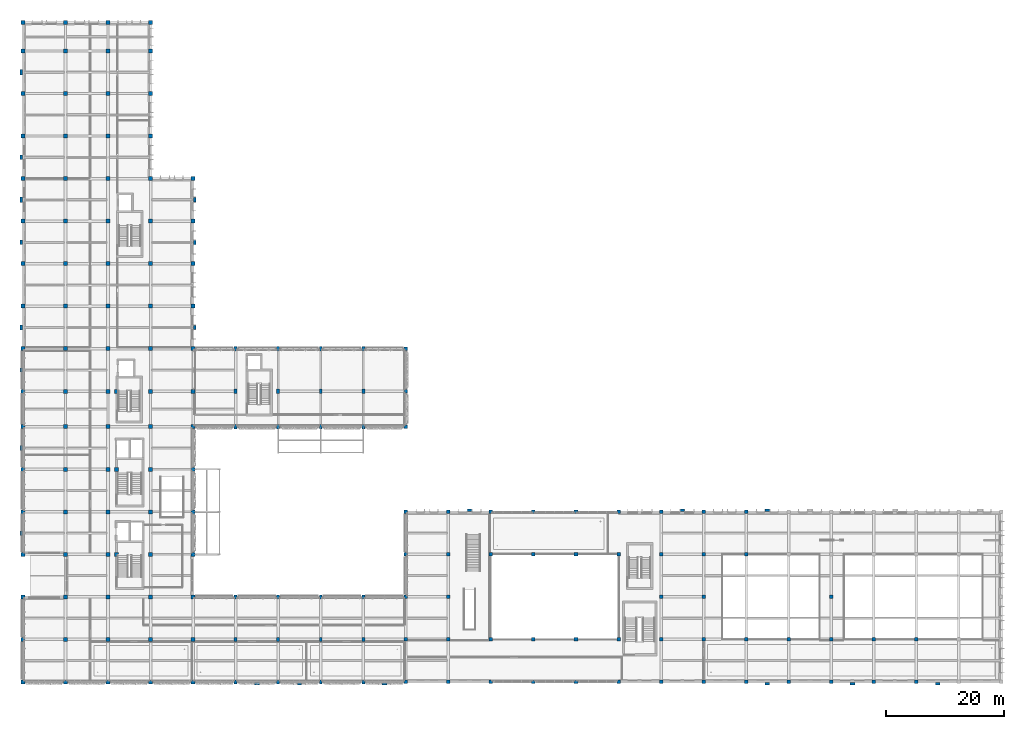
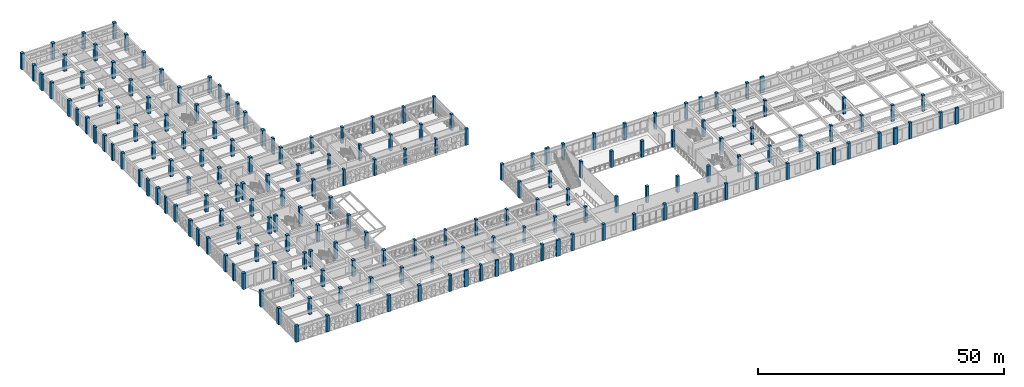
# One storey, part 1 of 88: 180 columns.
"""IFC4 building model written with IfcOpenShell, lengths in metres."""

from ifc_helpers import new_model, si_unit, direction, frame, origin, origin_2d, place, context, subcontext, project, spatial, rectangle, extrude, material, material_profile, profile_set, type_object, element, save


model = new_model("IFC4")

# Units and contexts
model_context = context("Model", 3, precision=1e-05, world=origin(), true_north=direction((0.0, 1.0)))
body_context = subcontext(model_context, "Body", "Model", "MODEL_VIEW")
ifc_project = project(units=[si_unit("LENGTHUNIT", "METRE"), si_unit("AREAUNIT", "SQUARE_METRE"), si_unit("VOLUMEUNIT", "CUBIC_METRE"), si_unit("PLANEANGLEUNIT", "RADIAN"), si_unit("MASSUNIT", "GRAM", prefix="KILO")], contexts=[model_context])

# Site, building, storey
site_placement = place(None, origin())
site = spatial("IfcSite", under=ifc_project, at=site_placement, CompositionType="ELEMENT")
building_placement = place(site_placement, origin())
building = spatial("IfcBuilding", under=site, at=building_placement, Name="Alvorim Cloister Faculty of Sciences", CompositionType="ELEMENT")
storey_placement = place(building_placement, frame((0.0, 0.0, 4.5)))
storey = spatial("IfcBuildingStorey", under=building, at=storey_placement, Name="L01", CompositionType="ELEMENT", Elevation=4.5)

# Columns
ifc_material_1 = material(Name="Concrete C40", Category="concrete")
ifc_material_profile_1 = material_profile(ifc_material_1, rectangle(XDim=0.5, YDim=0.699951171875, at=origin_2d()), Name="RC40-COL-500x700")
ifc_profile_set_1 = profile_set([ifc_material_profile_1], Name="Concrete C40")
column_type_1 = type_object("IfcColumnType", Name="COL-RC-500x700", PredefinedType="COLUMN", material=ifc_profile_set_1)
for number, where, z_axis, x_axis, name in (
    (1, (36.0, 0.0, 0.0), (0.0, 0.0, 1.0), (1.0, 0.0, 0.0), "L01 Column COL-0463"),
    (2, (36.0, 7.199951171875, 0.0), (0.0, 0.0, 1.0), (1.0, 0.0, 0.0), "L01 Column COL-0464"),
    (3, (36.0, 14.39990234375, 0.0), (0.0, 0.0, 1.0), (1.0, 0.0, 0.0), "L01 Column COL-0465"),
    (4, (36.0, 43.199951171875, 0.0), (0.0, 0.0, 1.0), (1.0, 0.0, 0.0), "L01 Column COL-0466"),
    (5, (36.0, 49.199951171875, 0.0), (0.0, 0.0, 1.0), (1.0, 0.0, 0.0), "L01 Column COL-0467"),
    (6, (36.0, 56.39990234375, 0.0), (0.0, 0.0, 1.0), (1.0, 0.0, 0.0), "L01 Column COL-0468"),
    (7, (43.199951171875, 0.0, 0.0), (0.0, 0.0, 1.0), (1.0, 0.0, 0.0), "L01 Column COL-0469"),
    (8, (43.199951171875, 7.199951171875, 0.0), (0.0, 0.0, 1.0), (1.0, 0.0, 0.0), "L01 Column COL-0470"),
    (9, (43.199951171875, 14.39990234375, 0.0), (0.0, 0.0, 1.0), (1.0, 0.0, 0.0), "L01 Column COL-0471"),
    (10, (43.199951171875, 43.199951171875, 0.0), (0.0, 0.0, 1.0), (1.0, 0.0, 0.0), "L01 Column COL-0472"),
    (11, (43.199951171875, 49.199951171875, 0.0), (0.0, 0.0, 1.0), (1.0, 0.0, 0.0), "L01 Column COL-0473"),
    (12, (43.199951171875, 56.39990234375, 0.0), (0.0, 0.0, 1.0), (1.0, 0.0, 0.0), "L01 Column COL-0474"),
    (13, (50.39990234375, 0.0, 0.0), (0.0, 0.0, 1.0), (1.0, 0.0, 0.0), "L01 Column COL-0475"),
    (14, (50.39990234375, 7.199951171875, 0.0), (0.0, 0.0, 1.0), (1.0, 0.0, 0.0), "L01 Column COL-0476"),
    (15, (50.39990234375, 14.39990234375, 0.0), (0.0, 0.0, 1.0), (1.0, 0.0, 0.0), "L01 Column COL-0477"),
    (16, (50.39990234375, 43.199951171875, 0.0), (0.0, 0.0, 1.0), (1.0, 0.0, 0.0), "L01 Column COL-0478"),
    (17, (50.39990234375, 49.199951171875, 0.0), (0.0, 0.0, 1.0), (1.0, 0.0, 0.0), "L01 Column COL-0479"),
    (18, (50.39990234375, 56.39990234375, 0.0), (0.0, 0.0, 1.0), (1.0, 0.0, 0.0), "L01 Column COL-0480"),
    (19, (57.60009765625, 0.0, 0.0), (0.0, 0.0, 1.0), (1.0, 0.0, 0.0), "L01 Column COL-0481"),
    (20, (57.60009765625, 7.199951171875, 0.0), (0.0, 0.0, 1.0), (1.0, 0.0, 0.0), "L01 Column COL-0482"),
    (21, (57.60009765625, 14.39990234375, 0.0), (0.0, 0.0, 1.0), (1.0, 0.0, 0.0), "L01 Column COL-0483"),
    (22, (57.60009765625, 43.199951171875, 0.0), (0.0, 0.0, 1.0), (1.0, 0.0, 0.0), "L01 Column COL-0484"),
    (23, (57.60009765625, 49.199951171875, 0.0), (0.0, 0.0, 1.0), (1.0, 0.0, 0.0), "L01 Column COL-0485"),
    (24, (57.60009765625, 56.39990234375, 0.0), (0.0, 0.0, 1.0), (1.0, 0.0, 0.0), "L01 Column COL-0486"),
):
    element("IfcColumn", number, at=place(storey_placement, frame(where, z_axis=z_axis, x_axis=x_axis)), inside=storey, type_object=column_type_1, Name=name, PredefinedType="COLUMN", context=body_context, shape_type="SweptSolid", body=[
        extrude(rectangle(XDim=0.5, YDim=0.699951171875, at=origin_2d()), origin(), (0.0, 0.0, 1.0), 4.050048828125),
    ])
ifc_material_profile_2 = material_profile(ifc_material_1, rectangle(XDim=0.60009765625, YDim=0.60009765625, at=origin_2d()), Name="RC40-COL-600x600")
ifc_profile_set_2 = profile_set([ifc_material_profile_2], Name="Concrete C40")
column_type_2 = type_object("IfcColumnType", Name="COL-RC-600", PredefinedType="COLUMN", material=ifc_profile_set_2)
for number, where, z_axis, x_axis, name in (
    (25, (64.800048828125, 0.0, 0.0), (0.0, 0.0, 1.0), (1.0, 0.0, 0.0), "L01 Column COL-0487"),
    (26, (64.800048828125, 7.199951171875, 0.0), (0.0, 0.0, 1.0), (1.0, 0.0, 0.0), "L01 Column COL-0488"),
    (27, (64.800048828125, 14.39990234375, 0.0), (0.0, 0.0, 1.0), (1.0, 0.0, 0.0), "L01 Column COL-0489"),
    (28, (64.800048828125, 21.60009765625, 0.0), (0.0, 0.0, 1.0), (1.0, 0.0, 0.0), "L01 Column COL-0490"),
    (29, (64.800048828125, 28.800048828125, 0.0), (0.0, 0.0, 1.0), (1.0, 0.0, 0.0), "L01 Column COL-0491"),
    (30, (64.800048828125, 43.199951171875, 0.0), (0.0, 0.0, 1.0), (1.0, 0.0, 0.0), "L01 Column COL-0492"),
    (31, (64.800048828125, 49.199951171875, 0.0), (0.0, 0.0, 1.0), (1.0, 0.0, 0.0), "L01 Column COL-0493"),
    (32, (64.800048828125, 56.39990234375, 0.0), (0.0, 0.0, 1.0), (1.0, 0.0, 0.0), "L01 Column COL-0494"),
    (33, (72.0, 0.0, 0.0), (0.0, 0.0, 1.0), (1.0, 0.0, 0.0), "L01 Column COL-0495"),
    (34, (72.0, 7.199951171875, 0.0), (0.0, 0.0, 1.0), (1.0, 0.0, 0.0), "L01 Column COL-0496"),
    (35, (72.0, 14.39990234375, 0.0), (0.0, 0.0, 1.0), (1.0, 0.0, 0.0), "L01 Column COL-0497"),
    (36, (72.0, 21.60009765625, 0.0), (0.0, 0.0, 1.0), (1.0, 0.0, 0.0), "L01 Column COL-0498"),
    (37, (72.0, 28.800048828125, 0.0), (0.0, 0.0, 1.0), (1.0, 0.0, 0.0), "L01 Column COL-0499"),
    (38, (79.199951171875, 0.0, 0.0), (0.0, 0.0, 1.0), (1.0, 0.0, 0.0), "L01 Column COL-0500"),
    (39, (79.199951171875, 7.199951171875, 0.0), (0.0, 0.0, 1.0), (1.0, 0.0, 0.0), "L01 Column COL-0501"),
    (40, (79.199951171875, 21.60009765625, 0.0), (0.0, 0.0, 1.0), (1.0, 0.0, 0.0), "L01 Column COL-0502"),
    (41, (79.199951171875, 28.800048828125, 0.0), (0.0, 0.0, 1.0), (1.0, 0.0, 0.0), "L01 Column COL-0503"),
    (42, (86.39990234375, 0.0, 0.0), (0.0, 0.0, 1.0), (1.0, 0.0, 0.0), "L01 Column COL-0504"),
    (43, (86.39990234375, 7.199951171875, 0.0), (0.0, 0.0, 1.0), (1.0, 0.0, 0.0), "L01 Column COL-0505"),
    (44, (86.39990234375, 21.60009765625, 0.0), (0.0, 0.0, 1.0), (1.0, 0.0, 0.0), "L01 Column COL-0506"),
    (45, (86.39990234375, 28.800048828125, 0.0), (0.0, 0.0, 1.0), (1.0, 0.0, 0.0), "L01 Column COL-0507"),
    (46, (93.60009765625, 0.0, 0.0), (0.0, 0.0, 1.0), (1.0, 0.0, 0.0), "L01 Column COL-0508"),
    (47, (93.60009765625, 7.199951171875, 0.0), (0.0, 0.0, 1.0), (1.0, 0.0, 0.0), "L01 Column COL-0509"),
    (48, (93.60009765625, 21.60009765625, 0.0), (0.0, 0.0, 1.0), (1.0, 0.0, 0.0), "L01 Column COL-0510"),
    (49, (93.60009765625, 28.800048828125, 0.0), (0.0, 0.0, 1.0), (1.0, 0.0, 0.0), "L01 Column COL-0511"),
    (50, (100.800048828125, 0.0, 0.0), (0.0, 0.0, 1.0), (1.0, 0.0, 0.0), "L01 Column COL-0512"),
    (51, (100.800048828125, 7.199951171875, 0.0), (0.0, 0.0, 1.0), (1.0, 0.0, 0.0), "L01 Column COL-0513"),
    (52, (100.800048828125, 21.60009765625, 0.0), (0.0, 0.0, 1.0), (1.0, 0.0, 0.0), "L01 Column COL-0514"),
    (53, (100.800048828125, 28.800048828125, 0.0), (0.0, 0.0, 1.0), (1.0, 0.0, 0.0), "L01 Column COL-0515"),
    (54, (108.0, 0.0, 0.0), (0.0, 0.0, 1.0), (1.0, 0.0, 0.0), "L01 Column COL-0516"),
    (55, (108.0, 7.199951171875, 0.0), (0.0, 0.0, 1.0), (1.0, 0.0, 0.0), "L01 Column COL-0517"),
    (56, (108.0, 14.39990234375, 0.0), (0.0, 0.0, 1.0), (1.0, 0.0, 0.0), "L01 Column COL-0518"),
    (57, (108.0, 21.60009765625, 0.0), (0.0, 0.0, 1.0), (1.0, 0.0, 0.0), "L01 Column COL-0519"),
    (58, (108.0, 28.800048828125, 0.0), (0.0, 0.0, 1.0), (1.0, 0.0, 0.0), "L01 Column COL-0520"),
    (59, (115.199951171875, 0.0, 0.0), (0.0, 0.0, 1.0), (1.0, 0.0, 0.0), "L01 Column COL-0521"),
    (60, (115.199951171875, 7.199951171875, 0.0), (0.0, 0.0, 1.0), (1.0, 0.0, 0.0), "L01 Column COL-0522"),
    (61, (115.199951171875, 14.39990234375, 0.0), (0.0, 0.0, 1.0), (1.0, 0.0, 0.0), "L01 Column COL-0523"),
    (62, (115.199951171875, 21.60009765625, 0.0), (0.0, 0.0, 1.0), (1.0, 0.0, 0.0), "L01 Column COL-0524"),
    (63, (115.199951171875, 28.800048828125, 0.0), (0.0, 0.0, 1.0), (1.0, 0.0, 0.0), "L01 Column COL-0525"),
    (64, (122.39990234375, 0.0, 0.0), (0.0, 0.0, 1.0), (1.0, 0.0, 0.0), "L01 Column COL-0526"),
    (65, (122.39990234375, 7.199951171875, 0.0), (0.0, 0.0, 1.0), (1.0, 0.0, 0.0), "L01 Column COL-0527"),
    (66, (122.39990234375, 21.60009765625, 0.0), (0.0, 0.0, 1.0), (1.0, 0.0, 0.0), "L01 Column COL-0528"),
    (67, (122.39990234375, 28.800048828125, 0.0), (0.0, 0.0, 1.0), (1.0, 0.0, 0.0), "L01 Column COL-0529"),
    (68, (129.60009765625, 0.0, 0.0), (0.0, 0.0, 1.0), (1.0, 0.0, 0.0), "L01 Column COL-0530"),
    (69, (129.60009765625, 7.199951171875, 0.0), (0.0, 0.0, 1.0), (1.0, 0.0, 0.0), "L01 Column COL-0531"),
    (70, (136.800048828125, 0.0, 0.0), (0.0, 0.0, 1.0), (1.0, 0.0, 0.0), "L01 Column COL-0534"),
    (71, (136.800048828125, 7.199951171875, 0.0), (0.0, 0.0, 1.0), (1.0, 0.0, 0.0), "L01 Column COL-0535"),
    (72, (136.800048828125, 14.39990234375, 0.0), (0.0, 0.0, 1.0), (1.0, 0.0, 0.0), "L01 Column COL-0536"),
    (73, (144.0, 0.0, 0.0), (0.0, 0.0, 1.0), (1.0, 0.0, 0.0), "L01 Column COL-0539"),
    (74, (144.0, 7.199951171875, 0.0), (0.0, 0.0, 1.0), (1.0, 0.0, 0.0), "L01 Column COL-0540"),
    (75, (151.199951171875, 0.0, 0.0), (0.0, 0.0, 1.0), (1.0, 0.0, 0.0), "L01 Column COL-0543"),
    (76, (151.199951171875, 7.199951171875, 0.0), (0.0, 0.0, 1.0), (1.0, 0.0, 0.0), "L01 Column COL-0544"),
):
    element("IfcColumn", number, at=place(storey_placement, frame(where, z_axis=z_axis, x_axis=x_axis)), inside=storey, type_object=column_type_2, Name=name, PredefinedType="COLUMN", context=body_context, shape_type="SweptSolid", body=[
        extrude(rectangle(XDim=0.60009765625, YDim=0.60009765625, at=origin_2d()), origin(), (0.0, 0.0, 1.0), 4.050048828125),
    ])
ifc_material_profile_3 = material_profile(ifc_material_1, rectangle(XDim=0.679931640625, YDim=0.679931640625, at=origin_2d()), Name="RC40-COL-680x680")
ifc_profile_set_3 = profile_set([ifc_material_profile_3], Name="Concrete C40")
column_type_3 = type_object("IfcColumnType", Name="COL-RC-680", PredefinedType="COLUMN", material=ifc_profile_set_3)
for number, where, z_axis, x_axis, name in (
    (77, (0.0, 0.0, 0.0), (0.0, 0.0, 1.0), (1.0, 0.0, 0.0), "L01 Column COL-0379"),
    (78, (0.0, 7.199951171875, 0.0), (0.0, 0.0, 1.0), (1.0, 0.0, 0.0), "L01 Column COL-0380"),
    (79, (0.0, 14.39990234375, 0.0), (0.0, 0.0, 1.0), (1.0, 0.0, 0.0), "L01 Column COL-0381"),
    (80, (0.0, 21.60009765625, 0.0), (0.0, 0.0, 1.0), (1.0, 0.0, 0.0), "L01 Column COL-0382"),
    (81, (0.0, 28.800048828125, 0.0), (0.0, 0.0, 1.0), (1.0, 0.0, 0.0), "L01 Column COL-0383"),
    (82, (0.0, 36.0, 0.0), (0.0, 0.0, 1.0), (1.0, 0.0, 0.0), "L01 Column COL-0384"),
    (83, (0.0, 43.199951171875, 0.0), (0.0, 0.0, 1.0), (1.0, 0.0, 0.0), "L01 Column COL-0385"),
    (84, (0.0, 49.199951171875, 0.0), (0.0, 0.0, 1.0), (1.0, 0.0, 0.0), "L01 Column COL-0386"),
    (85, (0.0, 56.39990234375, 0.0), (0.0, 0.0, 1.0), (1.0, 0.0, 0.0), "L01 Column COL-0387"),
    (86, (0.0, 63.60009765625, 0.0), (0.0, 0.0, 1.0), (1.0, 0.0, 0.0), "L01 Column COL-0388"),
    (87, (0.0, 70.800048828125, 0.0), (0.0, 0.0, 1.0), (1.0, 0.0, 0.0), "L01 Column COL-0389"),
    (88, (0.0, 78.0, 0.0), (0.0, 0.0, 1.0), (1.0, 0.0, 0.0), "L01 Column COL-0390"),
    (89, (0.0, 85.199951171875, 0.0), (0.0, 0.0, 1.0), (1.0, 0.0, 0.0), "L01 Column COL-0391"),
    (90, (0.0, 92.39990234375, 0.0), (0.0, 0.0, 1.0), (1.0, 0.0, 0.0), "L01 Column COL-0392"),
    (91, (0.0, 99.60009765625, 0.0), (0.0, 0.0, 1.0), (1.0, 0.0, 0.0), "L01 Column COL-0393"),
    (92, (0.0, 106.800048828125, 0.0), (0.0, 0.0, 1.0), (1.0, 0.0, 0.0), "L01 Column COL-0394"),
    (93, (0.0, 111.60009765625, 0.0), (0.0, 0.0, 1.0), (1.0, 0.0, 0.0), "L01 Column COL-0395"),
    (94, (7.199951171875, 0.0, 0.0), (0.0, 0.0, 1.0), (1.0, 0.0, 0.0), "L01 Column COL-0396"),
    (95, (7.199951171875, 7.199951171875, 0.0), (0.0, 0.0, 1.0), (1.0, 0.0, 0.0), "L01 Column COL-0397"),
    (96, (7.199951171875, 14.39990234375, 0.0), (0.0, 0.0, 1.0), (1.0, 0.0, 0.0), "L01 Column COL-0398"),
    (97, (7.199951171875, 21.60009765625, 0.0), (0.0, 0.0, 1.0), (1.0, 0.0, 0.0), "L01 Column COL-0399"),
    (98, (7.199951171875, 28.800048828125, 0.0), (0.0, 0.0, 1.0), (1.0, 0.0, 0.0), "L01 Column COL-0400"),
    (99, (7.199951171875, 36.0, 0.0), (0.0, 0.0, 1.0), (1.0, 0.0, 0.0), "L01 Column COL-0401"),
    (100, (7.199951171875, 43.199951171875, 0.0), (0.0, 0.0, 1.0), (1.0, 0.0, 0.0), "L01 Column COL-0402"),
    (101, (7.199951171875, 49.199951171875, 0.0), (0.0, 0.0, 1.0), (1.0, 0.0, 0.0), "L01 Column COL-0403"),
    (102, (7.199951171875, 56.39990234375, 0.0), (0.0, 0.0, 1.0), (1.0, 0.0, 0.0), "L01 Column COL-0404"),
    (103, (7.199951171875, 63.60009765625, 0.0), (0.0, 0.0, 1.0), (1.0, 0.0, 0.0), "L01 Column COL-0405"),
    (104, (7.199951171875, 70.800048828125, 0.0), (0.0, 0.0, 1.0), (1.0, 0.0, 0.0), "L01 Column COL-0406"),
    (105, (7.199951171875, 78.0, 0.0), (0.0, 0.0, 1.0), (1.0, 0.0, 0.0), "L01 Column COL-0407"),
    (106, (7.199951171875, 85.199951171875, 0.0), (0.0, 0.0, 1.0), (1.0, 0.0, 0.0), "L01 Column COL-0408"),
    (107, (7.199951171875, 92.39990234375, 0.0), (0.0, 0.0, 1.0), (1.0, 0.0, 0.0), "L01 Column COL-0409"),
    (108, (7.199951171875, 99.60009765625, 0.0), (0.0, 0.0, 1.0), (1.0, 0.0, 0.0), "L01 Column COL-0410"),
    (109, (7.199951171875, 106.800048828125, 0.0), (0.0, 0.0, 1.0), (1.0, 0.0, 0.0), "L01 Column COL-0411"),
    (110, (7.199951171875, 111.60009765625, 0.0), (0.0, 0.0, 1.0), (1.0, 0.0, 0.0), "L01 Column COL-0412"),
    (111, (14.39990234375, 0.0, 0.0), (0.0, 0.0, 1.0), (1.0, 0.0, 0.0), "L01 Column COL-0413"),
    (112, (14.39990234375, 7.199951171875, 0.0), (0.0, 0.0, 1.0), (1.0, 0.0, 0.0), "L01 Column COL-0414"),
    (113, (14.39990234375, 14.39990234375, 0.0), (0.0, 0.0, 1.0), (1.0, 0.0, 0.0), "L01 Column COL-0415"),
    (114, (14.39990234375, 21.60009765625, 0.0), (0.0, 0.0, 1.0), (1.0, 0.0, 0.0), "L01 Column COL-0416"),
    (115, (14.39990234375, 28.800048828125, 0.0), (0.0, 0.0, 1.0), (1.0, 0.0, 0.0), "L01 Column COL-0417"),
    (116, (14.39990234375, 36.0, 0.0), (0.0, 0.0, 1.0), (1.0, 0.0, 0.0), "L01 Column COL-0418"),
    (117, (14.39990234375, 43.199951171875, 0.0), (0.0, 0.0, 1.0), (1.0, 0.0, 0.0), "L01 Column COL-0419"),
    (118, (14.39990234375, 49.199951171875, 0.0), (0.0, 0.0, 1.0), (1.0, 0.0, 0.0), "L01 Column COL-0420"),
    (119, (14.39990234375, 56.39990234375, 0.0), (0.0, 0.0, 1.0), (1.0, 0.0, 0.0), "L01 Column COL-0421"),
    (120, (14.39990234375, 63.60009765625, 0.0), (0.0, 0.0, 1.0), (1.0, 0.0, 0.0), "L01 Column COL-0422"),
    (121, (14.39990234375, 70.800048828125, 0.0), (0.0, 0.0, 1.0), (1.0, 0.0, 0.0), "L01 Column COL-0423"),
    (122, (14.39990234375, 78.0, 0.0), (0.0, 0.0, 1.0), (1.0, 0.0, 0.0), "L01 Column COL-0424"),
    (123, (14.39990234375, 85.199951171875, 0.0), (0.0, 0.0, 1.0), (1.0, 0.0, 0.0), "L01 Column COL-0425"),
    (124, (14.39990234375, 92.39990234375, 0.0), (0.0, 0.0, 1.0), (1.0, 0.0, 0.0), "L01 Column COL-0426"),
    (125, (14.39990234375, 99.60009765625, 0.0), (0.0, 0.0, 1.0), (1.0, 0.0, 0.0), "L01 Column COL-0427"),
    (126, (14.39990234375, 106.800048828125, 0.0), (0.0, 0.0, 1.0), (1.0, 0.0, 0.0), "L01 Column COL-0428"),
    (127, (14.39990234375, 111.60009765625, 0.0), (0.0, 0.0, 1.0), (1.0, 0.0, 0.0), "L01 Column COL-0429"),
    (128, (15.800048828125, 21.60009765625, 0.0), (0.0, 0.0, 1.0), (1.0, 0.0, 0.0), "L01 Column COL-0430"),
    (129, (15.800048828125, 36.0, 0.0), (0.0, 0.0, 1.0), (1.0, 0.0, 0.0), "L01 Column COL-0431"),
    (130, (15.800048828125, 49.199951171875, 0.0), (0.0, 0.0, 1.0), (1.0, 0.0, 0.0), "L01 Column COL-0432"),
    (131, (21.60009765625, 0.0, 0.0), (0.0, 0.0, 1.0), (1.0, 0.0, 0.0), "L01 Column COL-0433"),
    (132, (21.60009765625, 7.199951171875, 0.0), (0.0, 0.0, 1.0), (1.0, 0.0, 0.0), "L01 Column COL-0434"),
    (133, (21.60009765625, 14.39990234375, 0.0), (0.0, 0.0, 1.0), (1.0, 0.0, 0.0), "L01 Column COL-0435"),
    (134, (21.60009765625, 21.60009765625, 0.0), (0.0, 0.0, 1.0), (1.0, 0.0, 0.0), "L01 Column COL-0436"),
    (135, (21.60009765625, 28.800048828125, 0.0), (0.0, 0.0, 1.0), (1.0, 0.0, 0.0), "L01 Column COL-0437"),
    (136, (21.60009765625, 36.0, 0.0), (0.0, 0.0, 1.0), (1.0, 0.0, 0.0), "L01 Column COL-0438"),
    (137, (21.60009765625, 43.199951171875, 0.0), (0.0, 0.0, 1.0), (1.0, 0.0, 0.0), "L01 Column COL-0439"),
    (138, (21.60009765625, 49.199951171875, 0.0), (0.0, 0.0, 1.0), (1.0, 0.0, 0.0), "L01 Column COL-0440"),
    (139, (21.60009765625, 56.39990234375, 0.0), (0.0, 0.0, 1.0), (1.0, 0.0, 0.0), "L01 Column COL-0441"),
    (140, (21.60009765625, 63.60009765625, 0.0), (0.0, 0.0, 1.0), (1.0, 0.0, 0.0), "L01 Column COL-0442"),
    (141, (21.60009765625, 70.800048828125, 0.0), (0.0, 0.0, 1.0), (1.0, 0.0, 0.0), "L01 Column COL-0443"),
    (142, (21.60009765625, 78.0, 0.0), (0.0, 0.0, 1.0), (1.0, 0.0, 0.0), "L01 Column COL-0444"),
    (143, (21.60009765625, 85.199951171875, 0.0), (0.0, 0.0, 1.0), (1.0, 0.0, 0.0), "L01 Column COL-0445"),
    (144, (21.60009765625, 92.39990234375, 0.0), (0.0, 0.0, 1.0), (1.0, 0.0, 0.0), "L01 Column COL-0446"),
    (145, (21.60009765625, 99.60009765625, 0.0), (0.0, 0.0, 1.0), (1.0, 0.0, 0.0), "L01 Column COL-0447"),
    (146, (21.60009765625, 106.800048828125, 0.0), (0.0, 0.0, 1.0), (1.0, 0.0, 0.0), "L01 Column COL-0448"),
    (147, (21.60009765625, 111.60009765625, 0.0), (0.0, 0.0, 1.0), (1.0, 0.0, 0.0), "L01 Column COL-0449"),
    (148, (28.800048828125, 0.0, 0.0), (0.0, 0.0, 1.0), (1.0, 0.0, 0.0), "L01 Column COL-0450"),
    (149, (28.800048828125, 7.199951171875, 0.0), (0.0, 0.0, 1.0), (1.0, 0.0, 0.0), "L01 Column COL-0451"),
    (150, (28.800048828125, 14.39990234375, 0.0), (0.0, 0.0, 1.0), (1.0, 0.0, 0.0), "L01 Column COL-0452"),
    (151, (28.800048828125, 21.60009765625, 0.0), (0.0, 0.0, 1.0), (1.0, 0.0, 0.0), "L01 Column COL-0453"),
    (152, (28.800048828125, 28.800048828125, 0.0), (0.0, 0.0, 1.0), (1.0, 0.0, 0.0), "L01 Column COL-0454"),
    (153, (28.800048828125, 36.0, 0.0), (0.0, 0.0, 1.0), (1.0, 0.0, 0.0), "L01 Column COL-0455"),
    (154, (28.800048828125, 43.199951171875, 0.0), (0.0, 0.0, 1.0), (1.0, 0.0, 0.0), "L01 Column COL-0456"),
    (155, (28.800048828125, 49.199951171875, 0.0), (0.0, 0.0, 1.0), (1.0, 0.0, 0.0), "L01 Column COL-0457"),
    (156, (28.800048828125, 56.39990234375, 0.0), (0.0, 0.0, 1.0), (1.0, 0.0, 0.0), "L01 Column COL-0458"),
    (157, (28.800048828125, 63.60009765625, 0.0), (0.0, 0.0, 1.0), (1.0, 0.0, 0.0), "L01 Column COL-0459"),
    (158, (28.800048828125, 70.800048828125, 0.0), (0.0, 0.0, 1.0), (1.0, 0.0, 0.0), "L01 Column COL-0460"),
    (159, (28.800048828125, 78.0, 0.0), (0.0, 0.0, 1.0), (1.0, 0.0, 0.0), "L01 Column COL-0461"),
    (160, (28.800048828125, 85.199951171875, 0.0), (0.0, 0.0, 1.0), (1.0, 0.0, 0.0), "L01 Column COL-0462"),
):
    element("IfcColumn", number, at=place(storey_placement, frame(where, z_axis=z_axis, x_axis=x_axis)), inside=storey, type_object=column_type_3, Name=name, PredefinedType="COLUMN", context=body_context, shape_type="SweptSolid", body=[
        extrude(rectangle(XDim=0.679931640625, YDim=0.679931640625, at=origin_2d()), origin(), (0.0, 0.0, 1.0), 4.050048828125),
    ])
ifc_material_2 = material(Name="Precast Concrete C40", Category="concrete")
ifc_material_profile_4 = material_profile(ifc_material_2, rectangle(XDim=0.39990234375, YDim=0.75, at=origin_2d()), Name="RC40-PIL-400x750")
ifc_profile_set_4 = profile_set([ifc_material_profile_4], Name="Precast Concrete C40")
column_type_4 = type_object("IfcColumnType", Name="PIL-PC-400x750", PredefinedType="PILASTER", material=ifc_profile_set_4)
for number, where, z_axis, x_axis, name in (
    (161, (-0.280029296875, 25.199951171875, 0.0), (0.0, 0.0, 1.0), (1.0, 0.0, 0.0), "L01 Gothic Buttress Pier COL-1123"),
    (162, (-0.280029296875, 52.800048828125, 0.0), (0.0, 0.0, 1.0), (1.0, 0.0, 0.0), "L01 Gothic Buttress Pier COL-1129"),
    (163, (-0.280029296875, 74.39990234375, 0.0), (0.0, 0.0, 1.0), (1.0, 0.0, 0.0), "L01 Gothic Buttress Pier COL-1138"),
    (164, (-0.280029296875, 88.800048828125, 0.0), (0.0, 0.0, 1.0), (1.0, 0.0, 0.0), "L01 Gothic Buttress Pier COL-1150"),
    (165, (29.080078125, 60.0, 0.0), (0.0, 0.0, 1.0), (1.0, 0.0, 0.0), "L01 Gothic Buttress Pier COL-1162"),
    (166, (29.080078125, 81.60009765625, 0.0), (0.0, 0.0, 1.0), (1.0, 0.0, 0.0), "L01 Gothic Buttress Pier COL-1170"),
    (167, (46.800048828125, -0.280029296875, 0.0), (0.0, 0.0, 1.0), (0.0, 1.0, 0.0), "L01 Gothic Buttress Pier COL-1179"),
    (168, (126.0, -0.280029296875, 0.0), (0.0, 0.0, 1.0), (0.0, 1.0, 0.0), "L01 Gothic Buttress Pier COL-1186"),
    (169, (154.800048828125, -0.280029296875, 0.0), (0.0, 0.0, 1.0), (0.0, 1.0, 0.0), "L01 Gothic Buttress Pier COL-1192"),
    (170, (111.60009765625, 29.080078125, 0.0), (0.0, 0.0, 1.0), (0.0, 1.0, 0.0), "L01 Gothic Buttress Pier COL-1201"),
):
    element("IfcColumn", number, at=place(storey_placement, frame(where, z_axis=z_axis, x_axis=x_axis)), inside=storey, type_object=column_type_4, Name=name, PredefinedType="PILASTER", context=body_context, shape_type="SweptSolid", body=[
        extrude(rectangle(XDim=0.39990234375, YDim=0.75, at=origin_2d()), origin(), (0.0, 0.0, 1.0), 4.050048828125),
    ])
ifc_material_profile_5 = material_profile(ifc_material_2, rectangle(XDim=0.449951171875, YDim=0.89990234375, at=origin_2d()), Name="RC40-PIL-450x900")
ifc_profile_set_5 = profile_set([ifc_material_profile_5], Name="Precast Concrete C40")
column_type_5 = type_object("IfcColumnType", Name="PIL-PC-450x900", PredefinedType="PILASTER", material=ifc_profile_set_5)
for number, where, z_axis, x_axis, name in (
    (171, (-0.280029296875, 39.60009765625, 0.0), (0.0, 0.0, 1.0), (1.0, 0.0, 0.0), "L01 Gothic Buttress Pier COL-1126"),
    (172, (-0.280029296875, 60.0, 0.0), (0.0, 0.0, 1.0), (1.0, 0.0, 0.0), "L01 Gothic Buttress Pier COL-1132"),
    (173, (-0.280029296875, 81.60009765625, 0.0), (0.0, 0.0, 1.0), (1.0, 0.0, 0.0), "L01 Gothic Buttress Pier COL-1144"),
    (174, (-0.280029296875, 103.199951171875, 0.0), (0.0, 0.0, 1.0), (1.0, 0.0, 0.0), "L01 Gothic Buttress Pier COL-1156"),
    (175, (29.080078125, 74.39990234375, 0.0), (0.0, 0.0, 1.0), (1.0, 0.0, 0.0), "L01 Gothic Buttress Pier COL-1166"),
    (176, (39.60009765625, -0.280029296875, 0.0), (0.0, 0.0, 1.0), (0.0, 1.0, 0.0), "L01 Gothic Buttress Pier COL-1174"),
    (177, (61.199951171875, -0.280029296875, 0.0), (0.0, 0.0, 1.0), (0.0, 1.0, 0.0), "L01 Gothic Buttress Pier COL-1183"),
    (178, (140.39990234375, -0.280029296875, 0.0), (0.0, 0.0, 1.0), (0.0, 1.0, 0.0), "L01 Gothic Buttress Pier COL-1189"),
    (179, (75.60009765625, 29.080078125, 0.0), (0.0, 0.0, 1.0), (0.0, 1.0, 0.0), "L01 Gothic Buttress Pier COL-1195"),
    (180, (126.0, 29.080078125, 0.0), (0.0, 0.0, 1.0), (0.0, 1.0, 0.0), "L01 Gothic Buttress Pier COL-1207"),
):
    element("IfcColumn", number, at=place(storey_placement, frame(where, z_axis=z_axis, x_axis=x_axis)), inside=storey, type_object=column_type_5, Name=name, PredefinedType="PILASTER", context=body_context, shape_type="SweptSolid", body=[
        extrude(rectangle(XDim=0.449951171875, YDim=0.89990234375, at=origin_2d()), origin(), (0.0, 0.0, 1.0), 4.050048828125),
    ])

save(model, "model.ifc")
